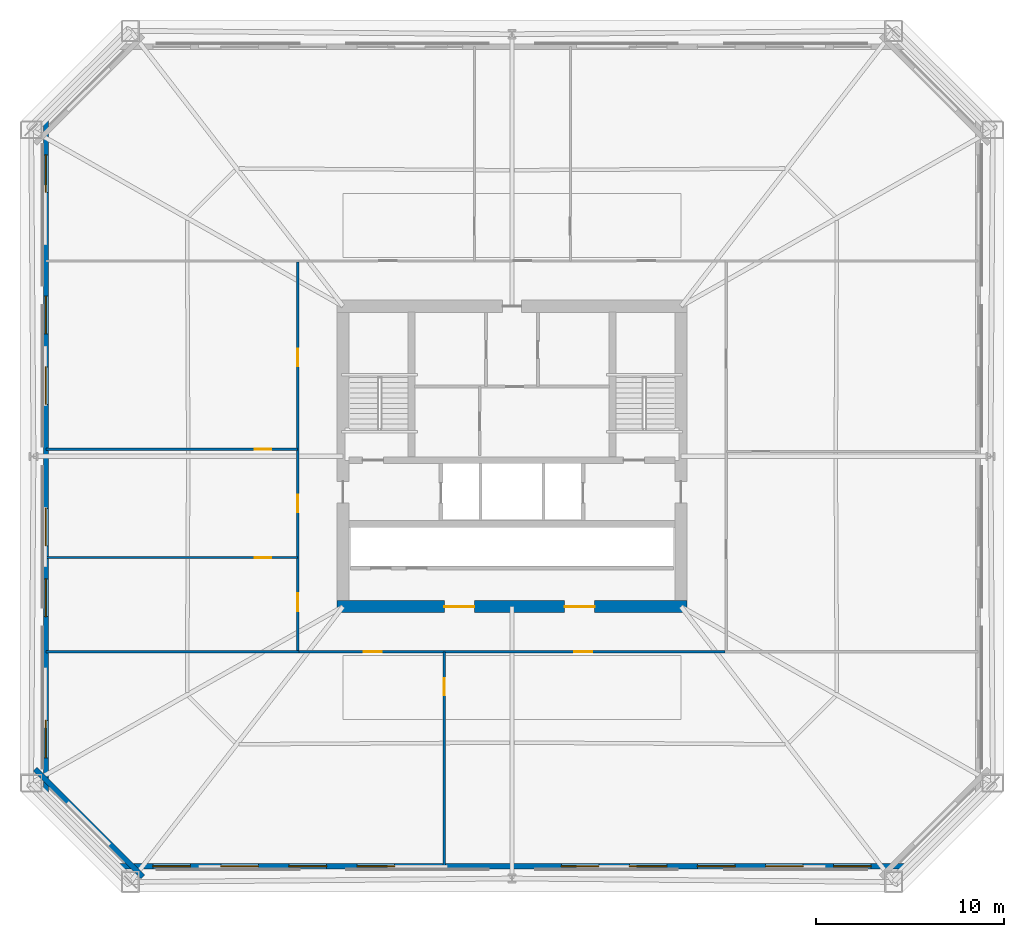
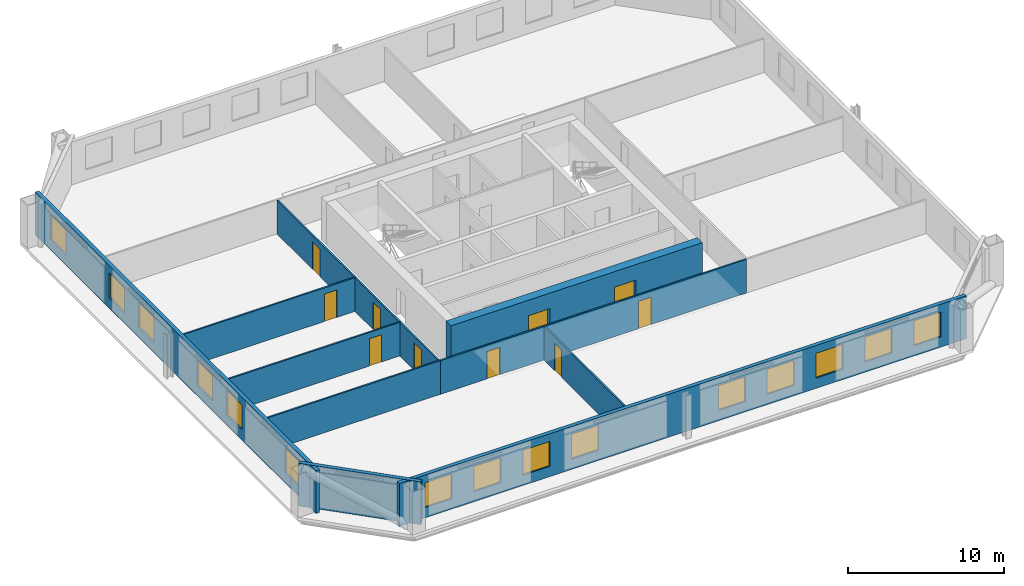
# One storey, part 5 of 11: 15 windows, 10 doors, 10 walls, 25 openings.
"""IFC4 building model written with IfcOpenShell, lengths in metres."""

from ifc_helpers import new_model, si_unit, direction, frame, frame_2d, origin, place, context, subcontext, project, spatial, rectangle, extrude, material, layer, layer_set, type_object, element, fill, save


model = new_model("IFC4")

# Units and contexts
model_context = context("Model", 3, precision=1e-05, world=origin(), true_north=direction((0.0, 1.0)))
body_context = subcontext(model_context, "Body", "Model", "MODEL_VIEW")
ifc_project = project(units=[si_unit("LENGTHUNIT", "METRE"), si_unit("AREAUNIT", "SQUARE_METRE"), si_unit("VOLUMEUNIT", "CUBIC_METRE"), si_unit("PLANEANGLEUNIT", "RADIAN"), si_unit("MASSUNIT", "GRAM", prefix="KILO")], contexts=[model_context])

# Site, building, storey
site_placement = place(None, origin())
site = spatial("IfcSite", under=ifc_project, at=site_placement, CompositionType="ELEMENT")
building_placement = place(site_placement, origin())
building = spatial("IfcBuilding", under=site, at=building_placement, Name="Caelvoria Tower", CompositionType="ELEMENT")
storey_placement = place(building_placement, frame((0.0, 0.0, 74.800048828125)))
storey = spatial("IfcBuildingStorey", under=building, at=storey_placement, Name="L19", CompositionType="ELEMENT", Elevation=74.800048828125)

# Wall, openings, windows
ifc_material_1 = material(Name="Precast Concrete C40/50 with Bronze Cladding", Category="concrete")
ifc_layer_1 = layer(ifc_material_1, 0.280029296875, Name="Precast Concrete C40/50 with Bronze Cladding")
ifc_layer_set_1 = layer_set([ifc_layer_1], Name="Exterior Precast Concrete C40/50 Bronze-Clad Facade Wall 280 - Precast Concrete C40/50 with Bronze Cladding")
wall_type_1 = type_object("IfcWallType", Name="Exterior Precast Concrete C40/50 Bronze-Clad Facade Wall 280", PredefinedType="STANDARD", material=ifc_layer_set_1)
wall_1_placement = place(storey_placement, frame((24.9599609375, 10.179931640625, 0.0), z_axis=(0.0, 0.0, 1.0), x_axis=(1.0, 0.0, 0.0)))
wall_1 = element("IfcWall", 1, at=wall_1_placement, inside=storey, type_object=wall_type_1, Name="Exterior Facade Wall L19-E0", PredefinedType="STANDARD", context=body_context, shape_type="SweptSolid", body=[
    extrude(rectangle(XDim=42.080078125, YDim=0.280029296875, at=frame_2d((21.0400390625, 0.0))), origin(), (0.0, 0.0, 1.0), 3.35986328125),
])
opening_1_placement = place(wall_1_placement, frame((1.91259765625, 0.0, 0.800048828125)))
opening_1 = element("IfcOpeningElement", 2, at=opening_1_placement, cuts=wall_1, Name="Opening WN-01", PredefinedType="OPENING", context=body_context, shape_type="SweptSolid", body=[
    extrude(rectangle(XDim=2.0, YDim=1.949951171875, at=frame_2d((1.0, 0.97509765625))), frame((0.0, 0.14990234375, 0.0), z_axis=(0.0, -1.0, 0.0), x_axis=(1.0, 0.0, 0.0)), (0.0, 0.0, 1.0), 0.300048828125),
])
opening_2_placement = place(wall_1_placement, frame((5.5380859375, 0.0, 0.800048828125)))
opening_2 = element("IfcOpeningElement", 3, at=opening_2_placement, cuts=wall_1, Name="Opening WN-01", PredefinedType="OPENING", context=body_context, shape_type="SweptSolid", body=[
    extrude(rectangle(XDim=2.0, YDim=1.949951171875, at=frame_2d((1.0, 0.97509765625))), frame((0.0, 0.14990234375, 0.0), z_axis=(0.0, -1.0, 0.0), x_axis=(1.0, 0.0, 0.0)), (0.0, 0.0, 1.0), 0.300048828125),
])
opening_3_placement = place(wall_1_placement, frame((9.16357421875, 0.0, 0.800048828125)))
opening_3 = element("IfcOpeningElement", 4, at=opening_3_placement, cuts=wall_1, Name="Opening WN-01", PredefinedType="OPENING", context=body_context, shape_type="SweptSolid", body=[
    extrude(rectangle(XDim=2.0, YDim=1.949951171875, at=frame_2d((1.0, 0.97509765625))), frame((0.0, 0.14990234375, 0.0), z_axis=(0.0, -1.0, 0.0), x_axis=(1.0, 0.0, 0.0)), (0.0, 0.0, 1.0), 0.300048828125),
])
opening_4_placement = place(wall_1_placement, frame((12.7890625, 0.0, 0.800048828125)))
opening_4 = element("IfcOpeningElement", 5, at=opening_4_placement, cuts=wall_1, Name="Opening WN-01", PredefinedType="OPENING", context=body_context, shape_type="SweptSolid", body=[
    extrude(rectangle(XDim=2.0, YDim=1.949951171875, at=frame_2d((1.0, 0.97509765625))), frame((0.0, 0.14990234375, 0.0), z_axis=(0.0, -1.0, 0.0), x_axis=(1.0, 0.0, 0.0)), (0.0, 0.0, 1.0), 0.300048828125),
])
opening_5_placement = place(wall_1_placement, frame((23.66552734375, 0.0, 0.800048828125)))
opening_5 = element("IfcOpeningElement", 6, at=opening_5_placement, cuts=wall_1, Name="Opening WN-01", PredefinedType="OPENING", context=body_context, shape_type="SweptSolid", body=[
    extrude(rectangle(XDim=2.0, YDim=1.949951171875, at=frame_2d((1.0, 0.97509765625))), frame((0.0, 0.14990234375, 0.0), z_axis=(0.0, -1.0, 0.0), x_axis=(1.0, 0.0, 0.0)), (0.0, 0.0, 1.0), 0.300048828125),
])
opening_6_placement = place(wall_1_placement, frame((27.291015625, 0.0, 0.800048828125)))
opening_6 = element("IfcOpeningElement", 7, at=opening_6_placement, cuts=wall_1, Name="Opening WN-01", PredefinedType="OPENING", context=body_context, shape_type="SweptSolid", body=[
    extrude(rectangle(XDim=2.0, YDim=1.949951171875, at=frame_2d((1.0, 0.97509765625))), frame((0.0, 0.14990234375, 0.0), z_axis=(0.0, -1.0, 0.0), x_axis=(1.0, 0.0, 0.0)), (0.0, 0.0, 1.0), 0.300048828125),
])
opening_7_placement = place(wall_1_placement, frame((30.91650390625, 0.0, 0.800048828125)))
opening_7 = element("IfcOpeningElement", 8, at=opening_7_placement, cuts=wall_1, Name="Opening WN-01", PredefinedType="OPENING", context=body_context, shape_type="SweptSolid", body=[
    extrude(rectangle(XDim=2.0, YDim=1.949951171875, at=frame_2d((1.0, 0.97509765625))), frame((0.0, 0.14990234375, 0.0), z_axis=(0.0, -1.0, 0.0), x_axis=(1.0, 0.0, 0.0)), (0.0, 0.0, 1.0), 0.300048828125),
])
opening_8_placement = place(wall_1_placement, frame((34.541748046875, 0.0, 0.800048828125)))
opening_8 = element("IfcOpeningElement", 9, at=opening_8_placement, cuts=wall_1, Name="Opening WN-01", PredefinedType="OPENING", context=body_context, shape_type="SweptSolid", body=[
    extrude(rectangle(XDim=2.0, YDim=1.949951171875, at=frame_2d((1.0, 0.97509765625))), frame((0.0, 0.14990234375, 0.0), z_axis=(0.0, -1.0, 0.0), x_axis=(1.0, 0.0, 0.0)), (0.0, 0.0, 1.0), 0.300048828125),
])
opening_9_placement = place(wall_1_placement, frame((38.167236328125, 0.0, 0.800048828125)))
opening_9 = element("IfcOpeningElement", 10, at=opening_9_placement, cuts=wall_1, Name="Opening WN-01", PredefinedType="OPENING", context=body_context, shape_type="SweptSolid", body=[
    extrude(rectangle(XDim=2.0, YDim=1.949951171875, at=frame_2d((1.0, 0.97509765625))), frame((0.0, 0.14990234375, 0.0), z_axis=(0.0, -1.0, 0.0), x_axis=(1.0, 0.0, 0.0)), (0.0, 0.0, 1.0), 0.300048828125),
])
ifc_material_2 = material(Name="Low-E Tinted Glass in Bronze Aluminium Frame", Category="aluminium")
window_type = type_object("IfcWindowType", Name="Tower Office Vision Window 2000x1950", PartitioningType="SINGLE_PANEL", PredefinedType="WINDOW", material=ifc_material_2)
window_1_placement = place(opening_1_placement, origin())
window_1 = element("IfcWindow", 11, at=window_1_placement, inside=storey, type_object=window_type, Name="Facade Window L19-E0-00", OverallHeight=1.949951171875, OverallWidth=2.0, PartitioningType="SINGLE_PANEL", PredefinedType="WINDOW", context=body_context, shape_type="SweptSolid", body=[
    extrude(rectangle(XDim=2.0, YDim=1.949951171875, at=frame_2d((1.0, 0.97509765625))), frame((0.0, 0.030029296875, 0.0), z_axis=(0.0, -1.0, 0.0), x_axis=(1.0, 0.0, 0.0)), (0.0, 0.0, 1.0), 0.06005859375),
])
fill(opening_1, window_1)
window_2_placement = place(opening_2_placement, origin())
window_2 = element("IfcWindow", 12, at=window_2_placement, inside=storey, type_object=window_type, Name="Facade Window L19-E0-01", OverallHeight=1.949951171875, OverallWidth=2.0, PartitioningType="SINGLE_PANEL", PredefinedType="WINDOW", context=body_context, shape_type="SweptSolid", body=[
    extrude(rectangle(XDim=2.0, YDim=1.949951171875, at=frame_2d((1.0, 0.97509765625))), frame((0.0, 0.030029296875, 0.0), z_axis=(0.0, -1.0, 0.0), x_axis=(1.0, 0.0, 0.0)), (0.0, 0.0, 1.0), 0.06005859375),
])
fill(opening_2, window_2)
window_3_placement = place(opening_3_placement, origin())
window_3 = element("IfcWindow", 13, at=window_3_placement, inside=storey, type_object=window_type, Name="Facade Window L19-E0-02", OverallHeight=1.949951171875, OverallWidth=2.0, PartitioningType="SINGLE_PANEL", PredefinedType="WINDOW", context=body_context, shape_type="SweptSolid", body=[
    extrude(rectangle(XDim=2.0, YDim=1.949951171875, at=frame_2d((1.0, 0.97509765625))), frame((0.0, 0.030029296875, 0.0), z_axis=(0.0, -1.0, 0.0), x_axis=(1.0, 0.0, 0.0)), (0.0, 0.0, 1.0), 0.06005859375),
])
fill(opening_3, window_3)
window_4_placement = place(opening_4_placement, origin())
window_4 = element("IfcWindow", 14, at=window_4_placement, inside=storey, type_object=window_type, Name="Facade Window L19-E0-03", OverallHeight=1.949951171875, OverallWidth=2.0, PartitioningType="SINGLE_PANEL", PredefinedType="WINDOW", context=body_context, shape_type="SweptSolid", body=[
    extrude(rectangle(XDim=2.0, YDim=1.949951171875, at=frame_2d((1.0, 0.97509765625))), frame((0.0, 0.030029296875, 0.0), z_axis=(0.0, -1.0, 0.0), x_axis=(1.0, 0.0, 0.0)), (0.0, 0.0, 1.0), 0.06005859375),
])
fill(opening_4, window_4)
window_5_placement = place(opening_5_placement, origin())
window_5 = element("IfcWindow", 15, at=window_5_placement, inside=storey, type_object=window_type, Name="Facade Window L19-E0-06", OverallHeight=1.949951171875, OverallWidth=2.0, PartitioningType="SINGLE_PANEL", PredefinedType="WINDOW", context=body_context, shape_type="SweptSolid", body=[
    extrude(rectangle(XDim=2.0, YDim=1.949951171875, at=frame_2d((1.0, 0.97509765625))), frame((0.0, 0.030029296875, 0.0), z_axis=(0.0, -1.0, 0.0), x_axis=(1.0, 0.0, 0.0)), (0.0, 0.0, 1.0), 0.06005859375),
])
fill(opening_5, window_5)
window_6_placement = place(opening_6_placement, origin())
window_6 = element("IfcWindow", 16, at=window_6_placement, inside=storey, type_object=window_type, Name="Facade Window L19-E0-07", OverallHeight=1.949951171875, OverallWidth=2.0, PartitioningType="SINGLE_PANEL", PredefinedType="WINDOW", context=body_context, shape_type="SweptSolid", body=[
    extrude(rectangle(XDim=2.0, YDim=1.949951171875, at=frame_2d((1.0, 0.97509765625))), frame((0.0, 0.030029296875, 0.0), z_axis=(0.0, -1.0, 0.0), x_axis=(1.0, 0.0, 0.0)), (0.0, 0.0, 1.0), 0.06005859375),
])
fill(opening_6, window_6)
window_7_placement = place(opening_7_placement, origin())
window_7 = element("IfcWindow", 17, at=window_7_placement, inside=storey, type_object=window_type, Name="Facade Window L19-E0-08", OverallHeight=1.949951171875, OverallWidth=2.0, PartitioningType="SINGLE_PANEL", PredefinedType="WINDOW", context=body_context, shape_type="SweptSolid", body=[
    extrude(rectangle(XDim=2.0, YDim=1.949951171875, at=frame_2d((1.0, 0.97509765625))), frame((0.0, 0.030029296875, 0.0), z_axis=(0.0, -1.0, 0.0), x_axis=(1.0, 0.0, 0.0)), (0.0, 0.0, 1.0), 0.06005859375),
])
fill(opening_7, window_7)
window_8_placement = place(opening_8_placement, origin())
window_8 = element("IfcWindow", 18, at=window_8_placement, inside=storey, type_object=window_type, Name="Facade Window L19-E0-09", OverallHeight=1.949951171875, OverallWidth=2.0, PartitioningType="SINGLE_PANEL", PredefinedType="WINDOW", context=body_context, shape_type="SweptSolid", body=[
    extrude(rectangle(XDim=2.0, YDim=1.949951171875, at=frame_2d((1.0, 0.97509765625))), frame((0.0, 0.030029296875, 0.0), z_axis=(0.0, -1.0, 0.0), x_axis=(1.0, 0.0, 0.0)), (0.0, 0.0, 1.0), 0.06005859375),
])
fill(opening_8, window_8)
window_9_placement = place(opening_9_placement, origin())
window_9 = element("IfcWindow", 19, at=window_9_placement, inside=storey, type_object=window_type, Name="Facade Window L19-E0-10", OverallHeight=1.949951171875, OverallWidth=2.0, PartitioningType="SINGLE_PANEL", PredefinedType="WINDOW", context=body_context, shape_type="SweptSolid", body=[
    extrude(rectangle(XDim=2.0, YDim=1.949951171875, at=frame_2d((1.0, 0.97509765625))), frame((0.0, 0.030029296875, 0.0), z_axis=(0.0, -1.0, 0.0), x_axis=(1.0, 0.0, 0.0)), (0.0, 0.0, 1.0), 0.06005859375),
])
fill(opening_9, window_9)

wall_2_placement = place(storey_placement, frame((21.179931640625, 50.0400390625, 0.0), z_axis=(0.0, 0.0, 1.0), x_axis=(0.0, -1.0, 0.0)))
wall_2 = element("IfcWall", 20, at=wall_2_placement, inside=storey, type_object=wall_type_1, Name="Exterior Facade Wall L19-E6", PredefinedType="STANDARD", context=body_context, shape_type="SweptSolid", body=[
    extrude(rectangle(XDim=36.080078125, YDim=0.280029296875, at=frame_2d((18.0400390625, 0.0))), origin(), (0.0, 0.0, 1.0), 3.35986328125),
])
opening_10_placement = place(wall_2_placement, frame((1.982177734375, 0.0, 0.800048828125)))
opening_10 = element("IfcOpeningElement", 21, at=opening_10_placement, cuts=wall_2, Name="Opening WN-01", PredefinedType="OPENING", context=body_context, shape_type="SweptSolid", body=[
    extrude(rectangle(XDim=2.0, YDim=1.949951171875, at=frame_2d((1.0, 0.97509765625))), frame((0.0, 0.14990234375, 0.0), z_axis=(0.0, -1.0, 0.0), x_axis=(1.0, 0.0, 0.0)), (0.0, 0.0, 1.0), 0.300048828125),
])
opening_11_placement = place(wall_2_placement, frame((9.510986328125, 0.0, 0.800048828125)))
opening_11 = element("IfcOpeningElement", 22, at=opening_11_placement, cuts=wall_2, Name="Opening WN-01", PredefinedType="OPENING", context=body_context, shape_type="SweptSolid", body=[
    extrude(rectangle(XDim=2.0, YDim=1.949951171875, at=frame_2d((1.0, 0.97509765625))), frame((0.0, 0.14990234375, 0.0), z_axis=(0.0, -1.0, 0.0), x_axis=(1.0, 0.0, 0.0)), (0.0, 0.0, 1.0), 0.300048828125),
])
opening_12_placement = place(wall_2_placement, frame((13.275634765625, 0.0, 0.800048828125)))
opening_12 = element("IfcOpeningElement", 23, at=opening_12_placement, cuts=wall_2, Name="Opening WN-01", PredefinedType="OPENING", context=body_context, shape_type="SweptSolid", body=[
    extrude(rectangle(XDim=2.0, YDim=1.949951171875, at=frame_2d((1.0, 0.97509765625))), frame((0.0, 0.14990234375, 0.0), z_axis=(0.0, -1.0, 0.0), x_axis=(1.0, 0.0, 0.0)), (0.0, 0.0, 1.0), 0.300048828125),
])
opening_13_placement = place(wall_2_placement, frame((20.804443359375, 0.0, 0.800048828125)))
opening_13 = element("IfcOpeningElement", 24, at=opening_13_placement, cuts=wall_2, Name="Opening WN-01", PredefinedType="OPENING", context=body_context, shape_type="SweptSolid", body=[
    extrude(rectangle(XDim=2.0, YDim=1.949951171875, at=frame_2d((1.0, 0.97509765625))), frame((0.0, 0.14990234375, 0.0), z_axis=(0.0, -1.0, 0.0), x_axis=(1.0, 0.0, 0.0)), (0.0, 0.0, 1.0), 0.300048828125),
])
opening_14_placement = place(wall_2_placement, frame((24.56884765625, 0.0, 0.800048828125)))
opening_14 = element("IfcOpeningElement", 25, at=opening_14_placement, cuts=wall_2, Name="Opening WN-01", PredefinedType="OPENING", context=body_context, shape_type="SweptSolid", body=[
    extrude(rectangle(XDim=2.0, YDim=1.949951171875, at=frame_2d((1.0, 0.97509765625))), frame((0.0, 0.14990234375, 0.0), z_axis=(0.0, -1.0, 0.0), x_axis=(1.0, 0.0, 0.0)), (0.0, 0.0, 1.0), 0.300048828125),
])
opening_15_placement = place(wall_2_placement, frame((32.097900390625, 0.0, 0.800048828125)))
opening_15 = element("IfcOpeningElement", 26, at=opening_15_placement, cuts=wall_2, Name="Opening WN-01", PredefinedType="OPENING", context=body_context, shape_type="SweptSolid", body=[
    extrude(rectangle(XDim=2.0, YDim=1.949951171875, at=frame_2d((1.0, 0.97509765625))), frame((0.0, 0.14990234375, 0.0), z_axis=(0.0, -1.0, 0.0), x_axis=(1.0, 0.0, 0.0)), (0.0, 0.0, 1.0), 0.300048828125),
])
window_10_placement = place(opening_10_placement, origin())
window_10 = element("IfcWindow", 27, at=window_10_placement, inside=storey, type_object=window_type, Name="Facade Window L19-E6-00", OverallHeight=1.949951171875, OverallWidth=2.0, PartitioningType="SINGLE_PANEL", PredefinedType="WINDOW", context=body_context, shape_type="SweptSolid", body=[
    extrude(rectangle(XDim=2.0, YDim=1.949951171875, at=frame_2d((1.0, 0.97509765625))), frame((0.0, 0.030029296875, 0.0), z_axis=(0.0, -1.0, 0.0), x_axis=(1.0, 0.0, 0.0)), (0.0, 0.0, 1.0), 0.06005859375),
])
fill(opening_10, window_10)
window_11_placement = place(opening_11_placement, origin())
window_11 = element("IfcWindow", 28, at=window_11_placement, inside=storey, type_object=window_type, Name="Facade Window L19-E6-02", OverallHeight=1.949951171875, OverallWidth=2.0, PartitioningType="SINGLE_PANEL", PredefinedType="WINDOW", context=body_context, shape_type="SweptSolid", body=[
    extrude(rectangle(XDim=2.0, YDim=1.949951171875, at=frame_2d((1.0, 0.97509765625))), frame((0.0, 0.030029296875, 0.0), z_axis=(0.0, -1.0, 0.0), x_axis=(1.0, 0.0, 0.0)), (0.0, 0.0, 1.0), 0.06005859375),
])
fill(opening_11, window_11)
window_12_placement = place(opening_12_placement, origin())
window_12 = element("IfcWindow", 29, at=window_12_placement, inside=storey, type_object=window_type, Name="Facade Window L19-E6-03", OverallHeight=1.949951171875, OverallWidth=2.0, PartitioningType="SINGLE_PANEL", PredefinedType="WINDOW", context=body_context, shape_type="SweptSolid", body=[
    extrude(rectangle(XDim=2.0, YDim=1.949951171875, at=frame_2d((1.0, 0.97509765625))), frame((0.0, 0.030029296875, 0.0), z_axis=(0.0, -1.0, 0.0), x_axis=(1.0, 0.0, 0.0)), (0.0, 0.0, 1.0), 0.06005859375),
])
fill(opening_12, window_12)
window_13_placement = place(opening_13_placement, origin())
window_13 = element("IfcWindow", 30, at=window_13_placement, inside=storey, type_object=window_type, Name="Facade Window L19-E6-05", OverallHeight=1.949951171875, OverallWidth=2.0, PartitioningType="SINGLE_PANEL", PredefinedType="WINDOW", context=body_context, shape_type="SweptSolid", body=[
    extrude(rectangle(XDim=2.0, YDim=1.949951171875, at=frame_2d((1.0, 0.97509765625))), frame((0.0, 0.030029296875, 0.0), z_axis=(0.0, -1.0, 0.0), x_axis=(1.0, 0.0, 0.0)), (0.0, 0.0, 1.0), 0.06005859375),
])
fill(opening_13, window_13)
window_14_placement = place(opening_14_placement, origin())
window_14 = element("IfcWindow", 31, at=window_14_placement, inside=storey, type_object=window_type, Name="Facade Window L19-E6-06", OverallHeight=1.949951171875, OverallWidth=2.0, PartitioningType="SINGLE_PANEL", PredefinedType="WINDOW", context=body_context, shape_type="SweptSolid", body=[
    extrude(rectangle(XDim=2.0, YDim=1.949951171875, at=frame_2d((1.0, 0.97509765625))), frame((0.0, 0.030029296875, 0.0), z_axis=(0.0, -1.0, 0.0), x_axis=(1.0, 0.0, 0.0)), (0.0, 0.0, 1.0), 0.06005859375),
])
fill(opening_14, window_14)
window_15_placement = place(opening_15_placement, origin())
window_15 = element("IfcWindow", 32, at=window_15_placement, inside=storey, type_object=window_type, Name="Facade Window L19-E6-08", OverallHeight=1.949951171875, OverallWidth=2.0, PartitioningType="SINGLE_PANEL", PredefinedType="WINDOW", context=body_context, shape_type="SweptSolid", body=[
    extrude(rectangle(XDim=2.0, YDim=1.949951171875, at=frame_2d((1.0, 0.97509765625))), frame((0.0, 0.030029296875, 0.0), z_axis=(0.0, -1.0, 0.0), x_axis=(1.0, 0.0, 0.0)), (0.0, 0.0, 1.0), 0.06005859375),
])
fill(opening_15, window_15)

# Wall
wall_3_placement = place(storey_placement, frame((20.606201171875, 15.345458984375, 0.0), z_axis=(0.0, 0.0, 1.0), x_axis=(0.707106781187, -0.707106781187, 0.0)))
element("IfcWall", 33, at=wall_3_placement, inside=storey, type_object=wall_type_1, Name="Exterior Facade Wall L19-E7", PredefinedType="STANDARD", context=body_context, shape_type="SweptSolid", body=[
    extrude(rectangle(XDim=8.116455078125, YDim=0.280029296875, at=frame_2d((4.05810546875, 0.0))), origin(), (0.0, 0.0, 1.0), 3.35986328125),
])

# Wall, openings, doors
ifc_material_3 = material(Name="Concrete C60/75", Category="concrete")
ifc_layer_2 = layer(ifc_material_3, 0.64990234375, Name="Concrete C60/75")
ifc_layer_set_2 = layer_set([ifc_layer_2], Name="Lower Core Shear Wall 650 - Concrete C60/75")
wall_type_2 = type_object("IfcWallType", Name="Lower Core Shear Wall 650", PredefinedType="SHEAR", material=ifc_layer_set_2)
wall_4_placement = place(storey_placement, frame((36.675048828125, 24.0, 0.0), z_axis=(0.0, 0.0, 1.0), x_axis=(1.0, 0.0, 0.0)))
wall_4 = element("IfcWall", 34, at=wall_4_placement, inside=storey, type_object=wall_type_2, Name="Core Shear Wall L19 S", PredefinedType="SHEAR", context=body_context, shape_type="SweptSolid", body=[
    extrude(rectangle(XDim=18.64990234375, YDim=0.64990234375, at=frame_2d((9.324951171875, 0.0))), origin(), (0.0, 0.0, 1.0), 3.35986328125),
])
opening_16_placement = place(wall_4_placement, frame((5.72509765625, 0.0, 0.0)))
opening_16 = element("IfcOpeningElement", 35, at=opening_16_placement, cuts=wall_4, Name="Opening ID-08", PredefinedType="OPENING", context=body_context, shape_type="SweptSolid", body=[
    extrude(rectangle(XDim=1.60009765625, YDim=2.14990234375, at=frame_2d((0.800048828125, 1.074951171875))), frame((0.0, 0.3349609375, 0.0), z_axis=(0.0, -1.0, 0.0), x_axis=(1.0, 0.0, 0.0)), (0.0, 0.0, 1.0), 0.669921875),
])
opening_17_placement = place(wall_4_placement, frame((12.125, 0.0, 0.0)))
opening_17 = element("IfcOpeningElement", 36, at=opening_17_placement, cuts=wall_4, Name="Opening ID-08", PredefinedType="OPENING", context=body_context, shape_type="SweptSolid", body=[
    extrude(rectangle(XDim=1.60009765625, YDim=2.14990234375, at=frame_2d((0.800048828125, 1.074951171875))), frame((0.0, 0.3349609375, 0.0), z_axis=(0.0, -1.0, 0.0), x_axis=(1.0, 0.0, 0.0)), (0.0, 0.0, 1.0), 0.669921875),
])
ifc_material_4 = material(Name="Bronze-Framed Fire-Rated Glazed Double Door", Category="aluminium")
door_type_1 = type_object("IfcDoorType", Name="Double Lobby Glazed Door 1600x2200", OperationType="NOTDEFINED", PredefinedType="DOOR", material=ifc_material_4)
door_1_placement = place(opening_16_placement, origin())
door_1 = element("IfcDoor", 37, at=door_1_placement, inside=storey, type_object=door_type_1, Name="Core Door DR-L19-LLOB-S1", OperationType="DOUBLE_DOOR_SINGLE_SWING", OverallHeight=2.14990234375, OverallWidth=1.60009765625, PredefinedType="DOOR", context=body_context, shape_type="SweptSolid", body=[
    extrude(rectangle(XDim=1.60009765625, YDim=2.14990234375, at=frame_2d((0.800048828125, 1.074951171875))), frame((0.0, 0.02490234375, 0.0), z_axis=(0.0, -1.0, 0.0), x_axis=(1.0, 0.0, 0.0)), (0.0, 0.0, 1.0), 0.050048828125),
])
fill(opening_16, door_1)
door_2_placement = place(opening_17_placement, origin())
door_2 = element("IfcDoor", 38, at=door_2_placement, inside=storey, type_object=door_type_1, Name="Core Door DR-L19-LLOB-S2", OperationType="DOUBLE_DOOR_SINGLE_SWING", OverallHeight=2.14990234375, OverallWidth=1.60009765625, PredefinedType="DOOR", context=body_context, shape_type="SweptSolid", body=[
    extrude(rectangle(XDim=1.60009765625, YDim=2.14990234375, at=frame_2d((0.800048828125, 1.074951171875))), frame((0.0, 0.02490234375, 0.0), z_axis=(0.0, -1.0, 0.0), x_axis=(1.0, 0.0, 0.0)), (0.0, 0.0, 1.0), 0.050048828125),
])
fill(opening_17, door_2)

# Wall, opening, door
ifc_material_5 = material(Name="Acoustic Gypsum Board on Light-Gauge Stud", Category="gypsum")
ifc_layer_3 = layer(ifc_material_5, 0.1201171875, Name="Acoustic Gypsum Board on Light-Gauge Stud")
ifc_layer_set_3 = layer_set([ifc_layer_3], Name="Tenant Suite Acoustic Partition Wall 120 - Acoustic Gypsum Board on Light-Gauge Stud")
wall_type_3 = type_object("IfcWallType", Name="Tenant Suite Acoustic Partition Wall 120", PredefinedType="PARTITIONING", material=ifc_layer_set_3)
wall_5_placement = place(storey_placement, frame((42.38671875, 21.590087890625, 0.0), z_axis=(0.0, 0.0, 1.0), x_axis=(0.0, -1.0, 0.0)))
wall_5 = element("IfcWall", 39, at=wall_5_placement, inside=storey, type_object=wall_type_3, Name="Interior Partition IW-L19-SD-00-0", PredefinedType="PARTITIONING", context=body_context, shape_type="SweptSolid", body=[
    extrude(rectangle(XDim=11.41015625, YDim=0.1201171875, at=frame_2d((5.705078125, 0.0))), origin(), (0.0, 0.0, 1.0), 2.639892578125),
])
opening_18_placement = place(wall_5_placement, frame((1.39990234375, 0.0, 0.0)))
opening_18 = element("IfcOpeningElement", 40, at=opening_18_placement, cuts=wall_5, Name="Opening ID-06", PredefinedType="OPENING", context=body_context, shape_type="SweptSolid", body=[
    extrude(rectangle(XDim=0.89990234375, YDim=2.14990234375, at=frame_2d((0.449951171875, 1.074951171875))), frame((0.0, 0.070068359375, 0.0), z_axis=(0.0, -1.0, 0.0), x_axis=(1.0, 0.0, 0.0)), (0.0, 0.0, 1.0), 0.14013671875),
])
ifc_material_6 = material(Name="Engineered Andean Oak Veneer Door", Category="wood")
door_type_2 = type_object("IfcDoorType", Name="Interior Timber Door 900x2150", OperationType="NOTDEFINED", PredefinedType="DOOR", material=ifc_material_6)
door_3_placement = place(opening_18_placement, origin())
door_3 = element("IfcDoor", 41, at=door_3_placement, inside=storey, type_object=door_type_2, Name="Interior Door DR-L19-SM-00-0", OperationType="SINGLE_SWING_RIGHT", OverallHeight=2.14990234375, OverallWidth=0.89990234375, PredefinedType="DOOR", context=body_context, shape_type="SweptSolid", body=[
    extrude(rectangle(XDim=0.89990234375, YDim=2.14990234375, at=frame_2d((0.449951171875, 1.074951171875))), frame((0.0, 0.02490234375, 0.0), z_axis=(0.0, -1.0, 0.0), x_axis=(1.0, 0.0, 0.0)), (0.0, 0.0, 1.0), 0.050048828125),
])
fill(opening_18, door_3)

# Wall, openings, doors
wall_6_placement = place(storey_placement, frame((34.64990234375, 21.590087890625, 0.0), z_axis=(0.0, 0.0, 1.0), x_axis=(1.0, 0.0, 0.0)))
wall_6 = element("IfcWall", 42, at=wall_6_placement, inside=storey, type_object=wall_type_3, Name="Interior Partition IW-L19-SCW-0", PredefinedType="PARTITIONING", context=body_context, shape_type="SweptSolid", body=[
    extrude(rectangle(XDim=22.7001953125, YDim=0.1201171875, at=frame_2d((11.35009765625, 0.0))), origin(), (0.0, 0.0, 1.0), 2.639892578125),
])
opening_19_placement = place(wall_6_placement, frame((3.46337890625, 0.0, 0.0)))
opening_19 = element("IfcOpeningElement", 43, at=opening_19_placement, cuts=wall_6, Name="Opening ID-05", PredefinedType="OPENING", context=body_context, shape_type="SweptSolid", body=[
    extrude(rectangle(XDim=0.949951171875, YDim=2.14990234375, at=frame_2d((0.47509765625, 1.074951171875))), frame((0.0, 0.070068359375, 0.0), z_axis=(0.0, -1.0, 0.0), x_axis=(1.0, 0.0, 0.0)), (0.0, 0.0, 1.0), 0.14013671875),
])
opening_20_placement = place(wall_6_placement, frame((14.67333984375, 0.0, 0.0)))
opening_20 = element("IfcOpeningElement", 44, at=opening_20_placement, cuts=wall_6, Name="Opening ID-05", PredefinedType="OPENING", context=body_context, shape_type="SweptSolid", body=[
    extrude(rectangle(XDim=0.949951171875, YDim=2.14990234375, at=frame_2d((0.47509765625, 1.074951171875))), frame((0.0, 0.070068359375, 0.0), z_axis=(0.0, -1.0, 0.0), x_axis=(1.0, 0.0, 0.0)), (0.0, 0.0, 1.0), 0.14013671875),
])
door_type_3 = type_object("IfcDoorType", Name="Interior Timber Door 950x2150", OperationType="NOTDEFINED", PredefinedType="DOOR", material=ifc_material_6)
door_4_placement = place(opening_19_placement, origin())
door_4 = element("IfcDoor", 45, at=door_4_placement, inside=storey, type_object=door_type_3, Name="Interior Door DR-L19-SC-00-0", OperationType="SINGLE_SWING_RIGHT", OverallHeight=2.14990234375, OverallWidth=0.949951171875, PredefinedType="DOOR", context=body_context, shape_type="SweptSolid", body=[
    extrude(rectangle(XDim=0.949951171875, YDim=2.14990234375, at=frame_2d((0.47509765625, 1.074951171875))), frame((0.0, 0.02490234375, 0.0), z_axis=(0.0, -1.0, 0.0), x_axis=(1.0, 0.0, 0.0)), (0.0, 0.0, 1.0), 0.050048828125),
])
fill(opening_19, door_4)
door_5_placement = place(opening_20_placement, origin())
door_5 = element("IfcDoor", 46, at=door_5_placement, inside=storey, type_object=door_type_3, Name="Interior Door DR-L19-SC-01-0", OperationType="SINGLE_SWING_LEFT", OverallHeight=2.14990234375, OverallWidth=0.949951171875, PredefinedType="DOOR", context=body_context, shape_type="SweptSolid", body=[
    extrude(rectangle(XDim=0.949951171875, YDim=2.14990234375, at=frame_2d((0.47509765625, 1.074951171875))), frame((0.0, 0.02490234375, 0.0), z_axis=(0.0, -1.0, 0.0), x_axis=(1.0, 0.0, 0.0)), (0.0, 0.0, 1.0), 0.050048828125),
])
fill(opening_20, door_5)

# Wall, opening, door
wall_7_placement = place(storey_placement, frame((34.590087890625, 26.609619140625, 0.0), z_axis=(0.0, 0.0, 1.0), x_axis=(-1.0, 0.0, 0.0)))
wall_7 = element("IfcWall", 47, at=wall_7_placement, inside=storey, type_object=wall_type_3, Name="Interior Partition IW-L19-WD-00-0", PredefinedType="PARTITIONING", context=body_context, shape_type="SweptSolid", body=[
    extrude(rectangle(XDim=13.41015625, YDim=0.1201171875, at=frame_2d((6.705078125, 0.0))), origin(), (0.0, 0.0, 1.0), 2.639892578125),
])
opening_21_placement = place(wall_7_placement, frame((1.39990234375, 0.0, 0.0)))
opening_21 = element("IfcOpeningElement", 48, at=opening_21_placement, cuts=wall_7, Name="Opening ID-06", PredefinedType="OPENING", context=body_context, shape_type="SweptSolid", body=[
    extrude(rectangle(XDim=0.89990234375, YDim=2.14990234375, at=frame_2d((0.449951171875, 1.074951171875))), frame((0.0, 0.070068359375, 0.0), z_axis=(0.0, -1.0, 0.0), x_axis=(1.0, 0.0, 0.0)), (0.0, 0.0, 1.0), 0.14013671875),
])
door_6_placement = place(opening_21_placement, origin())
door_6 = element("IfcDoor", 49, at=door_6_placement, inside=storey, type_object=door_type_2, Name="Interior Door DR-L19-WM-00-0", OperationType="SINGLE_SWING_RIGHT", OverallHeight=2.14990234375, OverallWidth=0.89990234375, PredefinedType="DOOR", context=body_context, shape_type="SweptSolid", body=[
    extrude(rectangle(XDim=0.89990234375, YDim=2.14990234375, at=frame_2d((0.449951171875, 1.074951171875))), frame((0.0, 0.02490234375, 0.0), z_axis=(0.0, -1.0, 0.0), x_axis=(1.0, 0.0, 0.0)), (0.0, 0.0, 1.0), 0.050048828125),
])
fill(opening_21, door_6)

wall_8_placement = place(storey_placement, frame((34.590087890625, 32.378173828125, 0.0), z_axis=(0.0, 0.0, 1.0), x_axis=(-1.0, 0.0, 0.0)))
wall_8 = element("IfcWall", 50, at=wall_8_placement, inside=storey, type_object=wall_type_3, Name="Interior Partition IW-L19-WD-01-0", PredefinedType="PARTITIONING", context=body_context, shape_type="SweptSolid", body=[
    extrude(rectangle(XDim=13.41015625, YDim=0.1201171875, at=frame_2d((6.705078125, 0.0))), origin(), (0.0, 0.0, 1.0), 2.639892578125),
])
opening_22_placement = place(wall_8_placement, frame((1.39990234375, 0.0, 0.0)))
opening_22 = element("IfcOpeningElement", 51, at=opening_22_placement, cuts=wall_8, Name="Opening ID-06", PredefinedType="OPENING", context=body_context, shape_type="SweptSolid", body=[
    extrude(rectangle(XDim=0.89990234375, YDim=2.14990234375, at=frame_2d((0.449951171875, 1.074951171875))), frame((0.0, 0.070068359375, 0.0), z_axis=(0.0, -1.0, 0.0), x_axis=(1.0, 0.0, 0.0)), (0.0, 0.0, 1.0), 0.14013671875),
])
door_7_placement = place(opening_22_placement, origin())
door_7 = element("IfcDoor", 52, at=door_7_placement, inside=storey, type_object=door_type_2, Name="Interior Door DR-L19-WM-01-0", OperationType="SINGLE_SWING_LEFT", OverallHeight=2.14990234375, OverallWidth=0.89990234375, PredefinedType="DOOR", context=body_context, shape_type="SweptSolid", body=[
    extrude(rectangle(XDim=0.89990234375, YDim=2.14990234375, at=frame_2d((0.449951171875, 1.074951171875))), frame((0.0, 0.02490234375, 0.0), z_axis=(0.0, -1.0, 0.0), x_axis=(1.0, 0.0, 0.0)), (0.0, 0.0, 1.0), 0.050048828125),
])
fill(opening_22, door_7)

# Wall, openings, doors
wall_9_placement = place(storey_placement, frame((34.590087890625, 21.64990234375, 0.0), z_axis=(0.0, 0.0, 1.0), x_axis=(0.0, 1.0, 0.0)))
wall_9 = element("IfcWall", 53, at=wall_9_placement, inside=storey, type_object=wall_type_3, Name="Interior Partition IW-L19-WCW-0", PredefinedType="PARTITIONING", context=body_context, shape_type="SweptSolid", body=[
    extrude(rectangle(XDim=20.7001953125, YDim=0.1201171875, at=frame_2d((10.35009765625, 0.0))), origin(), (0.0, 0.0, 1.0), 2.639892578125),
])
opening_23_placement = place(wall_9_placement, frame((2.104736328125, 0.0, 0.0)))
opening_23 = element("IfcOpeningElement", 54, at=opening_23_placement, cuts=wall_9, Name="Opening ID-05", PredefinedType="OPENING", context=body_context, shape_type="SweptSolid", body=[
    extrude(rectangle(XDim=0.949951171875, YDim=2.14990234375, at=frame_2d((0.47509765625, 1.074951171875))), frame((0.0, 0.070068359375, 0.0), z_axis=(0.0, -1.0, 0.0), x_axis=(1.0, 0.0, 0.0)), (0.0, 0.0, 1.0), 0.14013671875),
])
opening_24_placement = place(wall_9_placement, frame((7.368896484375, 0.0, 0.0)))
opening_24 = element("IfcOpeningElement", 55, at=opening_24_placement, cuts=wall_9, Name="Opening ID-05", PredefinedType="OPENING", context=body_context, shape_type="SweptSolid", body=[
    extrude(rectangle(XDim=0.949951171875, YDim=2.14990234375, at=frame_2d((0.47509765625, 1.074951171875))), frame((0.0, 0.070068359375, 0.0), z_axis=(0.0, -1.0, 0.0), x_axis=(1.0, 0.0, 0.0)), (0.0, 0.0, 1.0), 0.14013671875),
])
opening_25_placement = place(wall_9_placement, frame((15.13916015625, 0.0, 0.0)))
opening_25 = element("IfcOpeningElement", 56, at=opening_25_placement, cuts=wall_9, Name="Opening ID-05", PredefinedType="OPENING", context=body_context, shape_type="SweptSolid", body=[
    extrude(rectangle(XDim=0.949951171875, YDim=2.14990234375, at=frame_2d((0.47509765625, 1.074951171875))), frame((0.0, 0.070068359375, 0.0), z_axis=(0.0, -1.0, 0.0), x_axis=(1.0, 0.0, 0.0)), (0.0, 0.0, 1.0), 0.14013671875),
])
door_8_placement = place(opening_23_placement, origin())
door_8 = element("IfcDoor", 57, at=door_8_placement, inside=storey, type_object=door_type_3, Name="Interior Door DR-L19-WC-00-0", OperationType="SINGLE_SWING_RIGHT", OverallHeight=2.14990234375, OverallWidth=0.949951171875, PredefinedType="DOOR", context=body_context, shape_type="SweptSolid", body=[
    extrude(rectangle(XDim=0.949951171875, YDim=2.14990234375, at=frame_2d((0.47509765625, 1.074951171875))), frame((0.0, 0.02490234375, 0.0), z_axis=(0.0, -1.0, 0.0), x_axis=(1.0, 0.0, 0.0)), (0.0, 0.0, 1.0), 0.050048828125),
])
fill(opening_23, door_8)
door_9_placement = place(opening_24_placement, origin())
door_9 = element("IfcDoor", 58, at=door_9_placement, inside=storey, type_object=door_type_3, Name="Interior Door DR-L19-WC-01-0", OperationType="SINGLE_SWING_LEFT", OverallHeight=2.14990234375, OverallWidth=0.949951171875, PredefinedType="DOOR", context=body_context, shape_type="SweptSolid", body=[
    extrude(rectangle(XDim=0.949951171875, YDim=2.14990234375, at=frame_2d((0.47509765625, 1.074951171875))), frame((0.0, 0.02490234375, 0.0), z_axis=(0.0, -1.0, 0.0), x_axis=(1.0, 0.0, 0.0)), (0.0, 0.0, 1.0), 0.050048828125),
])
fill(opening_24, door_9)
door_10_placement = place(opening_25_placement, origin())
door_10 = element("IfcDoor", 59, at=door_10_placement, inside=storey, type_object=door_type_3, Name="Interior Door DR-L19-WC-02-0", OperationType="SINGLE_SWING_RIGHT", OverallHeight=2.14990234375, OverallWidth=0.949951171875, PredefinedType="DOOR", context=body_context, shape_type="SweptSolid", body=[
    extrude(rectangle(XDim=0.949951171875, YDim=2.14990234375, at=frame_2d((0.47509765625, 1.074951171875))), frame((0.0, 0.02490234375, 0.0), z_axis=(0.0, -1.0, 0.0), x_axis=(1.0, 0.0, 0.0)), (0.0, 0.0, 1.0), 0.050048828125),
])
fill(opening_25, door_10)

# Wall
wall_10_placement = place(storey_placement, frame((34.64990234375, 21.590087890625, 0.0), z_axis=(0.0, 0.0, 1.0), x_axis=(-1.0, 0.0, 0.0)))
element("IfcWall", 60, at=wall_10_placement, inside=storey, type_object=wall_type_3, Name="Interior Partition IW-L19-BSW-0", PredefinedType="PARTITIONING", context=body_context, shape_type="SweptSolid", body=[
    extrude(rectangle(XDim=13.469970703125, YDim=0.1201171875, at=frame_2d((6.73486328125, 0.0))), origin(), (0.0, 0.0, 1.0), 2.639892578125),
])

save(model, "model.ifc")
